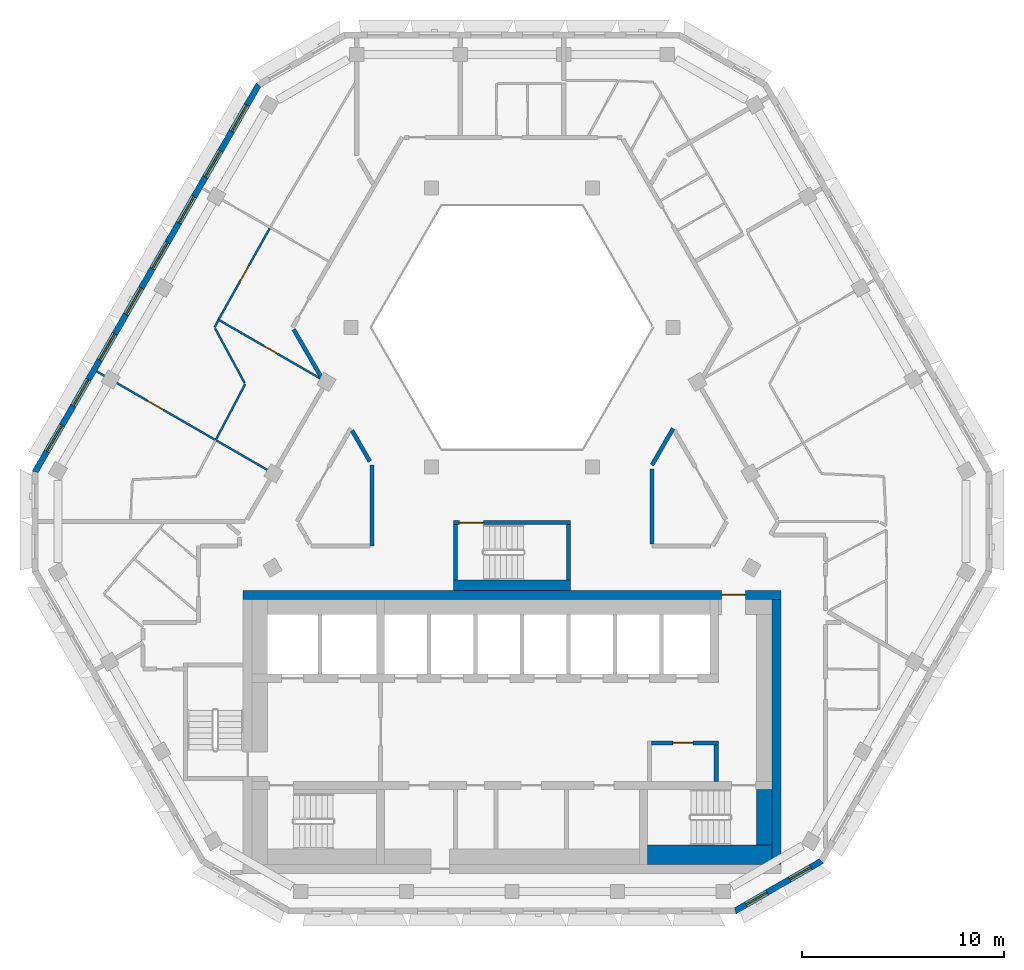
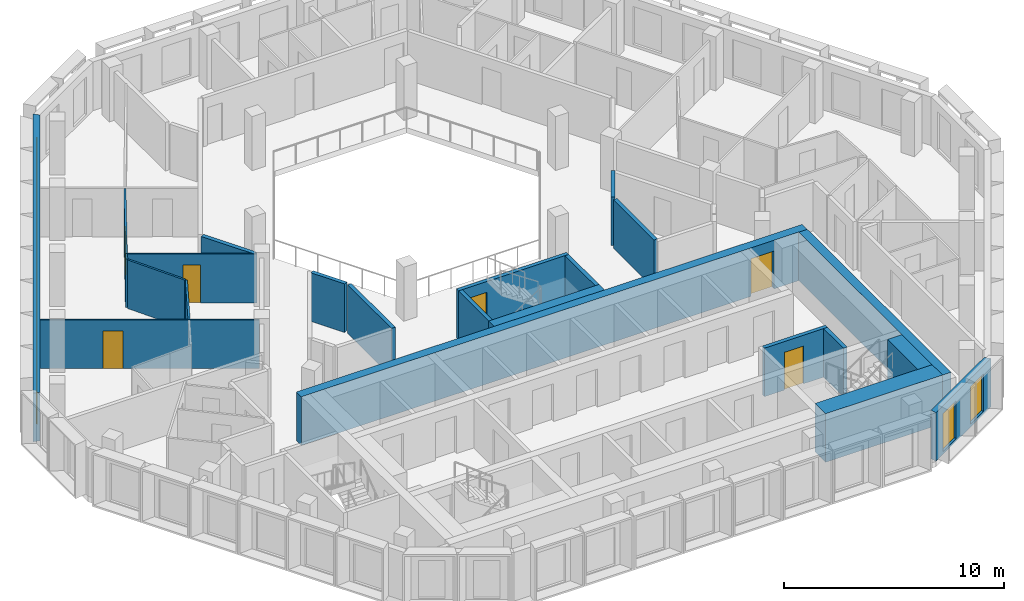
# One storey, part 5 of 16: 23 walls, 10 windows, 6 doors, 16 openings.
"""IFC4 building model written with IfcOpenShell, lengths in metres."""

import ifcopenshell
import ifcopenshell.guid

model = None  # the IFC model being written
_history = None  # IfcOwnerHistory: only IFC2X3 demands one
_inside = {}  # id of a spatial element -> (the spatial element, [elements in it])
_under = {}  # id of a project, library or spatial element -> (it, [spatial elements below it])
_declared = {}  # id of a project -> (the project, [libraries it declares])
_typed = {}  # id of a type object -> (the type object, [elements of that type])
_made_of = {}  # id of a material, layer set ... -> (it, [elements and type objects made of it])


def new_model(schema):
    """Start an empty IFC model of exactly this schema.

    Asked for "IFC4X3", IfcOpenShell would pick the latest addendum, in which some entities
    have other attributes; the version numbers below select the first issue.
    IFC2X3 requires an IfcOwnerHistory on every rooted entity: one is made here for all.
    """
    global model, _history
    if schema == "IFC4X3":
        model = ifcopenshell.file(schema_version=(4, 3, 0, 0))
    else:
        model = ifcopenshell.file(schema=schema)
    _inside.clear()
    _under.clear()
    _declared.clear()
    _typed.clear()
    _made_of.clear()
    _history = None
    if model.schema == "IFC2X3":
        org = make("IfcOrganization", Name="unknown")
        user = make(
            "IfcPersonAndOrganization",
            ThePerson=make("IfcPerson", FamilyName="unknown"),
            TheOrganization=org,
        )
        app = make(
            "IfcApplication",
            ApplicationDeveloper=org,
            Version="unknown",
            ApplicationFullName="unknown",
            ApplicationIdentifier="unknown",
        )
        _history = make(
            "IfcOwnerHistory",
            OwningUser=user,
            OwningApplication=app,
            ChangeAction="ADDED",
            CreationDate=0,
        )
    return model


def make(cls, **values):
    """One entity of the class cls with the attributes given. An attribute that is None is left unset."""
    return model.create_entity(
        cls, **{name: value for name, value in values.items() if value is not None}
    )


def rooted(cls, **values):
    """An entity with a GlobalId (a new one), such as an element, a storey or a relation."""
    return make(cls, GlobalId=ifcopenshell.guid.new(), OwnerHistory=_history, **values)


def si_unit(unit_type, name, prefix=None):
    """IfcSIUnit, for example si_unit("LENGTHUNIT", "METRE", prefix="MILLI")."""
    return make("IfcSIUnit", UnitType=unit_type, Prefix=prefix, Name=name)


def assignment(units):
    """IfcUnitAssignment: the units of a project."""
    return None if units is None else make("IfcUnitAssignment", Units=units)


def point(xyz):
    """IfcCartesianPoint."""
    return None if xyz is None else make("IfcCartesianPoint", Coordinates=xyz)


def direction(xyz):
    """IfcDirection."""
    return None if xyz is None else make("IfcDirection", DirectionRatios=xyz)


def frame(location, z_axis=None, x_axis=None):
    """IfcAxis2Placement3D, a coordinate frame: its origin and axes. An axis left out is left unset."""
    return make(
        "IfcAxis2Placement3D",
        Location=point(location),
        Axis=direction(z_axis),
        RefDirection=direction(x_axis),
    )


def frame_2d(location, x_axis=None):
    """IfcAxis2Placement2D, a coordinate frame in the plane: its origin and x axis."""
    return make(
        "IfcAxis2Placement2D", Location=point(location), RefDirection=direction(x_axis)
    )


def origin():
    """The frame at (0, 0, 0) with its axes left unset."""
    return frame((0.0, 0.0, 0.0))


def place(relative_to, where):
    """IfcLocalPlacement: puts the frame where relative to a parent placement (None: the world)."""
    return make(
        "IfcLocalPlacement", PlacementRelTo=relative_to, RelativePlacement=where
    )


def context(
    kind, dimensions, precision=None, world=None, true_north=None, identifier=None
):
    """IfcGeometricRepresentationContext, for example the 3D "Model" context."""
    return make(
        "IfcGeometricRepresentationContext",
        ContextIdentifier=identifier,
        ContextType=kind,
        CoordinateSpaceDimension=dimensions,
        Precision=precision,
        WorldCoordinateSystem=world,
        TrueNorth=true_north,
    )


def subcontext(parent, identifier, kind, view, scale=None):
    """IfcGeometricRepresentationSubContext, for example "Body" below "Model"."""
    return make(
        "IfcGeometricRepresentationSubContext",
        ContextIdentifier=identifier,
        ContextType=kind,
        ParentContext=parent,
        TargetScale=scale,
        TargetView=view,
    )


def project(units=None, contexts=None):
    """IfcProject with its units and contexts."""
    return rooted(
        "IfcProject",
        Name="project",
        RepresentationContexts=contexts,
        UnitsInContext=assignment(units),
    )


def spatial(cls, under=None, at=None, **own):
    """A site, building, storey or space (cls), placed at a placement, below another one or the project."""
    s = rooted(cls, ObjectPlacement=at, **own)
    if under is not None:
        _under.setdefault(under.id(), (under, []))[1].append(s)
    return s


def polyline(points):
    """IfcPolyline through the points."""
    return make("IfcPolyline", Points=[point(p) for p in points])


def profile(cls, at=None, kind="AREA", **sizes):
    """A parametric profile (cls). Its sizes go by their IFC names, for example OverallWidth=200.0."""
    return make(cls, ProfileType=kind, Position=at, **sizes)


def rectangle(**sizes):
    """IfcRectangleProfileDef."""
    return profile("IfcRectangleProfileDef", **sizes)


def outline(outer, holes=None, kind="AREA"):
    """IfcArbitraryClosedProfileDef: a profile drawn as a closed curve; with holes, ...WithVoids."""
    if holes is None:
        return make("IfcArbitraryClosedProfileDef", ProfileType=kind, OuterCurve=outer)
    return make(
        "IfcArbitraryProfileDefWithVoids",
        ProfileType=kind,
        OuterCurve=outer,
        InnerCurves=holes,
    )


def extrude(swept, where, along, depth):
    """IfcExtrudedAreaSolid: the profile swept, set in the frame where, extruded along a direction by depth."""
    return make(
        "IfcExtrudedAreaSolid",
        SweptArea=swept,
        Position=where,
        ExtrudedDirection=direction(along),
        Depth=depth,
    )


def shape(context_of_items, identifier, shape_type, items):
    """IfcShapeRepresentation: the items that make up one representation, for example the "Body"."""
    return make(
        "IfcShapeRepresentation",
        ContextOfItems=context_of_items,
        RepresentationIdentifier=identifier,
        RepresentationType=shape_type,
        Items=items,
    )


def material(Name=None, Category=None):
    """IfcMaterial."""
    return make("IfcMaterial", Name=Name, Category=Category)


def layer(
    of_material, thickness, ventilated=None, Name=None, Category=None, Priority=None
):
    """IfcMaterialLayer: one layer of a wall or slab, of a material (None: an air gap)."""
    return make(
        "IfcMaterialLayer",
        Material=of_material,
        LayerThickness=thickness,
        IsVentilated=ventilated,
        Name=Name,
        Category=Category,
        Priority=Priority,
    )


def layer_set(layers, Name=None):
    """IfcMaterialLayerSet."""
    return make("IfcMaterialLayerSet", MaterialLayers=layers, LayerSetName=Name)


def made_of(thing, what):
    """Note that an element or type object is made of a material, layer set ...; save() writes the relation."""
    if what is not None:
        _made_of.setdefault(what.id(), (what, []))[1].append(thing)
    return thing


def type_object(cls, material=None, **own):
    """A type object (cls), such as IfcWallType, which elements share."""
    return made_of(rooted(cls, **own), material)


def element(
    cls,
    number,
    at=None,
    inside=None,
    cuts=None,
    type_object=None,
    material=None,
    context=None,
    identifier="Body",
    shape_type=None,
    held_by="IfcProductDefinitionShape",
    body=None,
    shapes=None,
    **own,
):
    """One element of the class cls, such as IfcWall. Its Tag is "e" and its number.

    at: its placement. inside: the storey or other place that contains it. cuts: it is an
    opening in that element (IfcRelVoidsElement). A single representation is given by context,
    identifier, shape_type and body (its items); several are given by shapes. held_by: the class
    of the entity that holds the representations. save() writes the other relations.
    """
    e = rooted(cls, Tag="e%d" % number, ObjectPlacement=at, **own)
    if body is not None:
        shapes = [shape(context, identifier, shape_type, body)]
    if shapes is not None:
        e.Representation = make(held_by, Representations=shapes)
    if inside is not None:
        _inside.setdefault(inside.id(), (inside, []))[1].append(e)
    if cuts is not None:
        rooted(
            "IfcRelVoidsElement", RelatingBuildingElement=cuts, RelatedOpeningElement=e
        )
    if type_object is not None:
        _typed.setdefault(type_object.id(), (type_object, []))[1].append(e)
    return made_of(e, material)


def fill(opening, filler):
    """IfcRelFillsElement: the door or window that sits in an opening."""
    return rooted(
        "IfcRelFillsElement",
        RelatingOpeningElement=opening,
        RelatedBuildingElement=filler,
    )


def aggregate(whole, parts):
    """IfcRelAggregates: a whole, such as a stair, and the parts it consists of."""
    return rooted("IfcRelAggregates", RelatingObject=whole, RelatedObjects=parts)


def save(model, path):
    """Write the relations noted so far, then the file.

    IfcRelAggregates (storeys below a building ...), IfcRelContainedInSpatialStructure (elements
    in a storey), IfcRelDefinesByType, IfcRelAssociatesMaterial and IfcRelDeclares: one each for
    every whole, place, type object, material and project.
    """
    for whole, parts in _under.values():
        aggregate(whole, parts)
    for where, things in _inside.values():
        rooted(
            "IfcRelContainedInSpatialStructure",
            RelatedElements=things,
            RelatingStructure=where,
        )
    for kind, things in _typed.values():
        rooted("IfcRelDefinesByType", RelatedObjects=things, RelatingType=kind)
    for what, things in _made_of.values():
        rooted("IfcRelAssociatesMaterial", RelatedObjects=things, RelatingMaterial=what)
    for by, libraries in _declared.values():
        rooted("IfcRelDeclares", RelatingContext=by, RelatedDefinitions=libraries)
    model.write(path)


model = new_model("IFC4")

# Units and contexts
model_context = context("Model", 3, precision=1e-05, world=origin(), true_north=direction((0.0, 1.0)))
body_context = subcontext(model_context, "Body", "Model", "MODEL_VIEW")
ifc_project = project(units=[si_unit("LENGTHUNIT", "METRE"), si_unit("AREAUNIT", "SQUARE_METRE"), si_unit("VOLUMEUNIT", "CUBIC_METRE"), si_unit("PLANEANGLEUNIT", "RADIAN"), si_unit("MASSUNIT", "GRAM", prefix="KILO")], contexts=[model_context])

# Site, building, storey
site_placement = place(None, origin())
site = spatial("IfcSite", under=ifc_project, at=site_placement, CompositionType="ELEMENT")
building_placement = place(site_placement, origin())
building = spatial("IfcBuilding", under=site, at=building_placement, Name="Beryl Residences", CompositionType="ELEMENT")
storey_placement = place(building_placement, frame((0.0, 0.0, 220.800048828125)))
storey = spatial("IfcBuildingStorey", under=building, at=storey_placement, Name="L68", CompositionType="ELEMENT", Elevation=220.800048828125)

# Wall, openings, windows
ifc_material_1 = material(Name="Composite metal panel with mineral wool insulation")
ifc_layer_1 = layer(ifc_material_1, 0.300048828125)
ifc_layer_set_1 = layer_set([ifc_layer_1], Name="ES1 pale metal composite panel wall 300 mm")
wall_type_1 = type_object("IfcWallType", Name="ES1 pale metal composite panel wall 300 mm", PredefinedType="SOLIDWALL", material=ifc_layer_set_1)
wall_1_placement = place(storey_placement, frame((-12.513916015625, 20.02490234375, 0.0), z_axis=(0.0, 0.0, 1.0), x_axis=(-0.500003656944, -0.866023292436, 0.0)))
wall_1 = element("IfcWall", 1, at=wall_1_placement, inside=storey, type_object=wall_type_1, Name="ES1 external wall L68 NW", PredefinedType="SOLIDWALL", context=body_context, shape_type="SweptSolid", body=[
    extrude(outline(polyline([(0.0, -0.14990234375), (22.170166015625, -0.14990234375), (22.08984375, 0.14990234375), (0.080322265625, 0.14990234375), (0.0, -0.14990234375)])), origin(), (0.0, 0.0, 1.0), 2.699951171875),
])
opening_1_placement = place(wall_1_placement, frame((1.19091796875, 0.0, 0.14990234375)))
opening_1 = element("IfcOpeningElement", 2, at=opening_1_placement, cuts=wall_1, Name="Opening W1", PredefinedType="OPENING", context=body_context, shape_type="SweptSolid", body=[
    extrude(rectangle(XDim=1.5, YDim=2.10009765625, at=frame_2d((0.75, 1.050048828125))), frame((0.0, 0.159912109375, 0.0), z_axis=(0.0, -1.0, 0.0), x_axis=(1.0, 0.0, 0.0)), (0.0, 0.0, 1.0), 0.320068359375),
])
opening_2_placement = place(wall_1_placement, frame((3.803955078125, 0.0, 0.14990234375)))
opening_2 = element("IfcOpeningElement", 3, at=opening_2_placement, cuts=wall_1, Name="Opening W1", PredefinedType="OPENING", context=body_context, shape_type="SweptSolid", body=[
    extrude(rectangle(XDim=1.5, YDim=2.10009765625, at=frame_2d((0.75, 1.050048828125))), frame((0.0, 0.159912109375, 0.0), z_axis=(0.0, -1.0, 0.0), x_axis=(1.0, 0.0, 0.0)), (0.0, 0.0, 1.0), 0.320068359375),
])
opening_3_placement = place(wall_1_placement, frame((6.416015625, 0.0, 0.14990234375)))
opening_3 = element("IfcOpeningElement", 4, at=opening_3_placement, cuts=wall_1, Name="Opening W1", PredefinedType="OPENING", context=body_context, shape_type="SweptSolid", body=[
    extrude(rectangle(XDim=1.5, YDim=2.10009765625, at=frame_2d((0.75, 1.050048828125))), frame((0.0, 0.159912109375, 0.0), z_axis=(0.0, -1.0, 0.0), x_axis=(1.0, 0.0, 0.0)), (0.0, 0.0, 1.0), 0.320068359375),
])
opening_4_placement = place(wall_1_placement, frame((9.029052734375, 0.0, 0.14990234375)))
opening_4 = element("IfcOpeningElement", 5, at=opening_4_placement, cuts=wall_1, Name="Opening W1", PredefinedType="OPENING", context=body_context, shape_type="SweptSolid", body=[
    extrude(rectangle(XDim=1.5, YDim=2.10009765625, at=frame_2d((0.75, 1.050048828125))), frame((0.0, 0.159912109375, 0.0), z_axis=(0.0, -1.0, 0.0), x_axis=(1.0, 0.0, 0.0)), (0.0, 0.0, 1.0), 0.320068359375),
])
opening_5_placement = place(wall_1_placement, frame((11.64111328125, 0.0, 0.14990234375)))
opening_5 = element("IfcOpeningElement", 6, at=opening_5_placement, cuts=wall_1, Name="Opening W1", PredefinedType="OPENING", context=body_context, shape_type="SweptSolid", body=[
    extrude(rectangle(XDim=1.5, YDim=2.10009765625, at=frame_2d((0.75, 1.050048828125))), frame((0.0, 0.159912109375, 0.0), z_axis=(0.0, -1.0, 0.0), x_axis=(1.0, 0.0, 0.0)), (0.0, 0.0, 1.0), 0.320068359375),
])
opening_6_placement = place(wall_1_placement, frame((14.25390625, 0.0, 0.14990234375)))
opening_6 = element("IfcOpeningElement", 7, at=opening_6_placement, cuts=wall_1, Name="Opening W1", PredefinedType="OPENING", context=body_context, shape_type="SweptSolid", body=[
    extrude(rectangle(XDim=1.5, YDim=2.10009765625, at=frame_2d((0.75, 1.050048828125))), frame((0.0, 0.159912109375, 0.0), z_axis=(0.0, -1.0, 0.0), x_axis=(1.0, 0.0, 0.0)), (0.0, 0.0, 1.0), 0.320068359375),
])
opening_7_placement = place(wall_1_placement, frame((16.865966796875, 0.0, 0.14990234375)))
opening_7 = element("IfcOpeningElement", 8, at=opening_7_placement, cuts=wall_1, Name="Opening W1", PredefinedType="OPENING", context=body_context, shape_type="SweptSolid", body=[
    extrude(rectangle(XDim=1.5, YDim=2.10009765625, at=frame_2d((0.75, 1.050048828125))), frame((0.0, 0.159912109375, 0.0), z_axis=(0.0, -1.0, 0.0), x_axis=(1.0, 0.0, 0.0)), (0.0, 0.0, 1.0), 0.320068359375),
])
opening_8_placement = place(wall_1_placement, frame((19.47900390625, 0.0, 0.14990234375)))
opening_8 = element("IfcOpeningElement", 9, at=opening_8_placement, cuts=wall_1, Name="Opening W1", PredefinedType="OPENING", context=body_context, shape_type="SweptSolid", body=[
    extrude(rectangle(XDim=1.5, YDim=2.10009765625, at=frame_2d((0.75, 1.050048828125))), frame((0.0, 0.159912109375, 0.0), z_axis=(0.0, -1.0, 0.0), x_axis=(1.0, 0.0, 0.0)), (0.0, 0.0, 1.0), 0.320068359375),
])
ifc_material_2 = material(Name="Aluminium and clear glass", Category="aluminium")
window_type_1 = type_object("IfcWindowType", Name="W1 cell window 1500 x 2100 mm", PartitioningType="SINGLE_PANEL", PredefinedType="WINDOW", material=ifc_material_2)
window_1_placement = place(opening_1_placement, origin())
window_1 = element("IfcWindow", 10, at=window_1_placement, inside=storey, type_object=window_type_1, Name="W1 window L68 NW 1", OverallHeight=2.10009765625, OverallWidth=1.5, PartitioningType="SINGLE_PANEL", PredefinedType="WINDOW", context=body_context, shape_type="SweptSolid", body=[
    extrude(rectangle(XDim=1.5, YDim=2.10009765625, at=frame_2d((0.75, 1.050048828125))), frame((0.0, 0.030029296875, 0.0), z_axis=(0.0, -1.0, 0.0), x_axis=(1.0, 0.0, 0.0)), (0.0, 0.0, 1.0), 0.06005859375),
])
fill(opening_1, window_1)
window_2_placement = place(opening_2_placement, origin())
window_2 = element("IfcWindow", 11, at=window_2_placement, inside=storey, type_object=window_type_1, Name="W1 window L68 NW 2", OverallHeight=2.10009765625, OverallWidth=1.5, PartitioningType="SINGLE_PANEL", PredefinedType="WINDOW", context=body_context, shape_type="SweptSolid", body=[
    extrude(rectangle(XDim=1.5, YDim=2.10009765625, at=frame_2d((0.75, 1.050048828125))), frame((0.0, 0.030029296875, 0.0), z_axis=(0.0, -1.0, 0.0), x_axis=(1.0, 0.0, 0.0)), (0.0, 0.0, 1.0), 0.06005859375),
])
fill(opening_2, window_2)
window_3_placement = place(opening_3_placement, origin())
window_3 = element("IfcWindow", 12, at=window_3_placement, inside=storey, type_object=window_type_1, Name="W1 window L68 NW 3", OverallHeight=2.10009765625, OverallWidth=1.5, PartitioningType="SINGLE_PANEL", PredefinedType="WINDOW", context=body_context, shape_type="SweptSolid", body=[
    extrude(rectangle(XDim=1.5, YDim=2.10009765625, at=frame_2d((0.75, 1.050048828125))), frame((0.0, 0.030029296875, 0.0), z_axis=(0.0, -1.0, 0.0), x_axis=(1.0, 0.0, 0.0)), (0.0, 0.0, 1.0), 0.06005859375),
])
fill(opening_3, window_3)
window_4_placement = place(opening_4_placement, origin())
window_4 = element("IfcWindow", 13, at=window_4_placement, inside=storey, type_object=window_type_1, Name="W1 window L68 NW 4", OverallHeight=2.10009765625, OverallWidth=1.5, PartitioningType="SINGLE_PANEL", PredefinedType="WINDOW", context=body_context, shape_type="SweptSolid", body=[
    extrude(rectangle(XDim=1.5, YDim=2.10009765625, at=frame_2d((0.75, 1.050048828125))), frame((0.0, 0.030029296875, 0.0), z_axis=(0.0, -1.0, 0.0), x_axis=(1.0, 0.0, 0.0)), (0.0, 0.0, 1.0), 0.06005859375),
])
fill(opening_4, window_4)
window_5_placement = place(opening_5_placement, origin())
window_5 = element("IfcWindow", 14, at=window_5_placement, inside=storey, type_object=window_type_1, Name="W1 window L68 NW 5", OverallHeight=2.10009765625, OverallWidth=1.5, PartitioningType="SINGLE_PANEL", PredefinedType="WINDOW", context=body_context, shape_type="SweptSolid", body=[
    extrude(rectangle(XDim=1.5, YDim=2.10009765625, at=frame_2d((0.75, 1.050048828125))), frame((0.0, 0.030029296875, 0.0), z_axis=(0.0, -1.0, 0.0), x_axis=(1.0, 0.0, 0.0)), (0.0, 0.0, 1.0), 0.06005859375),
])
fill(opening_5, window_5)
window_6_placement = place(opening_6_placement, origin())
window_6 = element("IfcWindow", 15, at=window_6_placement, inside=storey, type_object=window_type_1, Name="W1 window L68 NW 6", OverallHeight=2.10009765625, OverallWidth=1.5, PartitioningType="SINGLE_PANEL", PredefinedType="WINDOW", context=body_context, shape_type="SweptSolid", body=[
    extrude(rectangle(XDim=1.5, YDim=2.10009765625, at=frame_2d((0.75, 1.050048828125))), frame((0.0, 0.030029296875, 0.0), z_axis=(0.0, -1.0, 0.0), x_axis=(1.0, 0.0, 0.0)), (0.0, 0.0, 1.0), 0.06005859375),
])
fill(opening_6, window_6)
window_7_placement = place(opening_7_placement, origin())
window_7 = element("IfcWindow", 16, at=window_7_placement, inside=storey, type_object=window_type_1, Name="W1 window L68 NW 7", OverallHeight=2.10009765625, OverallWidth=1.5, PartitioningType="SINGLE_PANEL", PredefinedType="WINDOW", context=body_context, shape_type="SweptSolid", body=[
    extrude(rectangle(XDim=1.5, YDim=2.10009765625, at=frame_2d((0.75, 1.050048828125))), frame((0.0, 0.030029296875, 0.0), z_axis=(0.0, -1.0, 0.0), x_axis=(1.0, 0.0, 0.0)), (0.0, 0.0, 1.0), 0.06005859375),
])
fill(opening_7, window_7)
window_8_placement = place(opening_8_placement, origin())
window_8 = element("IfcWindow", 17, at=window_8_placement, inside=storey, type_object=window_type_1, Name="W1 window L68 NW 8", OverallHeight=2.10009765625, OverallWidth=1.5, PartitioningType="SINGLE_PANEL", PredefinedType="WINDOW", context=body_context, shape_type="SweptSolid", body=[
    extrude(rectangle(XDim=1.5, YDim=2.10009765625, at=frame_2d((0.75, 1.050048828125))), frame((0.0, 0.030029296875, 0.0), z_axis=(0.0, -1.0, 0.0), x_axis=(1.0, 0.0, 0.0)), (0.0, 0.0, 1.0), 0.06005859375),
])
fill(opening_8, window_8)

wall_2_placement = place(storey_placement, frame((11.010009765625, -20.8701171875, 0.0), z_axis=(0.0, 0.0, 1.0), x_axis=(0.866022959057, 0.500004234368, 0.0)))
wall_2 = element("IfcWall", 18, at=wall_2_placement, inside=storey, type_object=wall_type_1, Name="ES1 external wall L68 S-SE", PredefinedType="SOLIDWALL", context=body_context, shape_type="SweptSolid", body=[
    extrude(outline(polyline([(0.0, -0.14990234375), (5.0, -0.14990234375), (4.919677734375, 0.14990234375), (0.080322265625, 0.14990234375), (0.0, -0.14990234375)])), origin(), (0.0, 0.0, 1.0), 2.699951171875),
])
opening_9_placement = place(wall_2_placement, frame((0.64990234375, 0.0, 0.14990234375)))
opening_9 = element("IfcOpeningElement", 19, at=opening_9_placement, cuts=wall_2, Name="Opening W2", PredefinedType="OPENING", context=body_context, shape_type="SweptSolid", body=[
    extrude(rectangle(XDim=1.199951171875, YDim=2.10009765625, at=frame_2d((0.60009765625, 1.050048828125))), frame((0.0, 0.159912109375, 0.0), z_axis=(0.0, -1.0, 0.0), x_axis=(1.0, 0.0, 0.0)), (0.0, 0.0, 1.0), 0.320068359375),
])
opening_10_placement = place(wall_2_placement, frame((3.14892578125, 0.0, 0.14990234375)))
opening_10 = element("IfcOpeningElement", 20, at=opening_10_placement, cuts=wall_2, Name="Opening W2", PredefinedType="OPENING", context=body_context, shape_type="SweptSolid", body=[
    extrude(rectangle(XDim=1.199951171875, YDim=2.10009765625, at=frame_2d((0.60009765625, 1.050048828125))), frame((0.0, 0.159912109375, 0.0), z_axis=(0.0, -1.0, 0.0), x_axis=(1.0, 0.0, 0.0)), (0.0, 0.0, 1.0), 0.320068359375),
])
ifc_material_3 = material(Name="Aluminium and clear glass", Category="aluminium")
window_type_2 = type_object("IfcWindowType", Name="W2 chamfer window 1200 x 2100 mm", PartitioningType="SINGLE_PANEL", PredefinedType="WINDOW", material=ifc_material_3)
window_9_placement = place(opening_9_placement, origin())
window_9 = element("IfcWindow", 21, at=window_9_placement, inside=storey, type_object=window_type_2, Name="W2 window L68 S-SE 1", OverallHeight=2.10009765625, OverallWidth=1.199951171875, PartitioningType="SINGLE_PANEL", PredefinedType="WINDOW", context=body_context, shape_type="SweptSolid", body=[
    extrude(rectangle(XDim=1.199951171875, YDim=2.10009765625, at=frame_2d((0.60009765625, 1.050048828125))), frame((0.0, 0.030029296875, 0.0), z_axis=(0.0, -1.0, 0.0), x_axis=(1.0, 0.0, 0.0)), (0.0, 0.0, 1.0), 0.06005859375),
])
fill(opening_9, window_9)
window_10_placement = place(opening_10_placement, origin())
window_10 = element("IfcWindow", 22, at=window_10_placement, inside=storey, type_object=window_type_2, Name="W2 window L68 S-SE 2", OverallHeight=2.10009765625, OverallWidth=1.199951171875, PartitioningType="SINGLE_PANEL", PredefinedType="WINDOW", context=body_context, shape_type="SweptSolid", body=[
    extrude(rectangle(XDim=1.199951171875, YDim=2.10009765625, at=frame_2d((0.60009765625, 1.050048828125))), frame((0.0, 0.030029296875, 0.0), z_axis=(0.0, -1.0, 0.0), x_axis=(1.0, 0.0, 0.0)), (0.0, 0.0, 1.0), 0.06005859375),
])
fill(opening_10, window_10)

# Wall
ifc_material_4 = material(Name="Gypsum board partition on steel studs", Category="steel")
ifc_layer_2 = layer(ifc_material_4, 0.10009765625)
ifc_layer_set_2 = layer_set([ifc_layer_2], Name="PT1 partition 100 mm gypsum board on steel studs")
wall_type_2 = type_object("IfcWallType", Name="PT1 partition 100 mm gypsum board on steel studs", PredefinedType="PARTITIONING", material=ifc_layer_set_2)
wall_3_placement = place(storey_placement, frame((-14.679931640625, 7.947021484375, 0.0), z_axis=(0.0, 0.0, 1.0), x_axis=(0.475823637798, -0.879540712936, 0.0)))
element("IfcWall", 23, at=wall_3_placement, inside=storey, type_object=wall_type_2, Name="Wall PT1 L68 008", PredefinedType="PARTITIONING", context=body_context, shape_type="SweptSolid", body=[
    extrude(rectangle(XDim=3.064208984375, YDim=0.10009765625, at=frame_2d((1.5322265625, 0.0))), origin(), (0.0, 0.0, 1.0), 2.699951171875),
])

# Wall, opening, door
wall_4_placement = place(storey_placement, frame((-20.5390625, 5.824951171875, 0.0), z_axis=(0.0, 0.0, 1.0), x_axis=(0.866047370643, -0.499961950354, 0.0)))
wall_4 = element("IfcWall", 24, at=wall_4_placement, inside=storey, type_object=wall_type_2, Name="Wall PT1 L68 013", PredefinedType="PARTITIONING", context=body_context, shape_type="SweptSolid", body=[
    extrude(rectangle(XDim=10.000732421875, YDim=0.10009765625, at=frame_2d((5.00048828125, 0.0))), origin(), (0.0, 0.0, 1.0), 2.699951171875),
])
opening_11_placement = place(wall_4_placement, frame((2.886962890625, 0.0, 0.0)))
opening_11 = element("IfcOpeningElement", 25, at=opening_11_placement, cuts=wall_4, Name="Opening D1929", PredefinedType="OPENING", context=body_context, shape_type="SweptSolid", body=[
    extrude(rectangle(XDim=0.89990234375, YDim=2.10009765625, at=frame_2d((0.449951171875, 1.050048828125))), frame((0.0, 0.06005859375, 0.0), z_axis=(0.0, -1.0, 0.0), x_axis=(1.0, 0.0, 0.0)), (0.0, 0.0, 1.0), 0.1201171875),
])
ifc_material_5 = material(Name="Timber door leaf", Category="wood")
door_type_1 = type_object("IfcDoorType", Name="D2 room door 900 x 2100 mm", OperationType="SINGLE_SWING_LEFT", PredefinedType="DOOR", material=ifc_material_5)
door_1_placement = place(opening_11_placement, origin())
door_1 = element("IfcDoor", 26, at=door_1_placement, inside=storey, type_object=door_type_1, Name="Door D1929 L68 001", OperationType="SINGLE_SWING_LEFT", OverallHeight=2.10009765625, OverallWidth=0.89990234375, PredefinedType="DOOR", context=body_context, shape_type="SweptSolid", body=[
    extrude(rectangle(XDim=0.89990234375, YDim=2.10009765625, at=frame_2d((0.449951171875, 1.050048828125))), frame((0.0, 0.02490234375, 0.0), z_axis=(0.0, -1.0, 0.0), x_axis=(1.0, 0.0, 0.0)), (0.0, 0.0, 1.0), 0.050048828125),
])
fill(opening_11, door_1)

wall_5_placement = place(storey_placement, frame((-14.469970703125, 8.35400390625, 0.0), z_axis=(0.0, 0.0, 1.0), x_axis=(0.866067902578, -0.499926382705, 0.0)))
wall_5 = element("IfcWall", 27, at=wall_5_placement, inside=storey, type_object=wall_type_2, Name="Wall PT1 L68 014", PredefinedType="PARTITIONING", context=body_context, shape_type="SweptSolid", body=[
    extrude(rectangle(XDim=5.9072265625, YDim=0.10009765625, at=frame_2d((2.95361328125, 0.0))), origin(), (0.0, 0.0, 1.0), 2.699951171875),
])
opening_12_placement = place(wall_5_placement, frame((2.529052734375, 0.0, 0.0)))
opening_12 = element("IfcOpeningElement", 28, at=opening_12_placement, cuts=wall_5, Name="Opening D1926", PredefinedType="OPENING", context=body_context, shape_type="SweptSolid", body=[
    extrude(rectangle(XDim=0.800048828125, YDim=2.10009765625, at=frame_2d((0.39990234375, 1.050048828125))), frame((0.0, 0.06005859375, 0.0), z_axis=(0.0, -1.0, 0.0), x_axis=(1.0, 0.0, 0.0)), (0.0, 0.0, 1.0), 0.1201171875),
])
ifc_material_6 = material(Name="Timber door leaf", Category="wood")
door_type_2 = type_object("IfcDoorType", Name="D3 bathroom door 800 x 2100 mm", OperationType="SINGLE_SWING_LEFT", PredefinedType="DOOR", material=ifc_material_6)
door_2_placement = place(opening_12_placement, origin())
door_2 = element("IfcDoor", 29, at=door_2_placement, inside=storey, type_object=door_type_2, Name="Door D1926 L68 001", OperationType="SINGLE_SWING_RIGHT", OverallHeight=2.10009765625, OverallWidth=0.800048828125, PredefinedType="DOOR", context=body_context, shape_type="SweptSolid", body=[
    extrude(rectangle(XDim=0.800048828125, YDim=2.10009765625, at=frame_2d((0.39990234375, 1.050048828125))), frame((0.0, 0.02490234375, 0.0), z_axis=(0.0, -1.0, 0.0), x_axis=(1.0, 0.0, 0.0)), (0.0, 0.0, 1.0), 0.050048828125),
])
fill(opening_12, door_2)

wall_6_placement = place(storey_placement, frame((-14.52197265625, 8.362060546875, 0.0), z_axis=(0.0, 0.0, 1.0), x_axis=(0.488772229601, 0.872411432508, 0.0)))
wall_6 = element("IfcWall", 30, at=wall_6_placement, inside=storey, type_object=wall_type_2, Name="Wall PT1 L68 026", PredefinedType="PARTITIONING", context=body_context, shape_type="SweptSolid", body=[
    extrude(rectangle(XDim=5.19482421875, YDim=0.10009765625, at=frame_2d((2.597412109375, 0.0))), origin(), (0.0, 0.0, 1.0), 2.699951171875),
])
opening_13_placement = place(wall_6_placement, frame((2.173095703125, 0.0, 0.0)))
opening_13 = element("IfcOpeningElement", 31, at=opening_13_placement, cuts=wall_6, Name="Opening D1927", PredefinedType="OPENING", context=body_context, shape_type="SweptSolid", body=[
    extrude(rectangle(XDim=0.89990234375, YDim=2.10009765625, at=frame_2d((0.449951171875, 1.050048828125))), frame((0.0, 0.06005859375, 0.0), z_axis=(0.0, -1.0, 0.0), x_axis=(1.0, 0.0, 0.0)), (0.0, 0.0, 1.0), 0.1201171875),
])
door_3_placement = place(opening_13_placement, origin())
door_3 = element("IfcDoor", 32, at=door_3_placement, inside=storey, type_object=door_type_1, Name="Door D1927 L68 001", OperationType="SINGLE_SWING_LEFT", OverallHeight=2.10009765625, OverallWidth=0.89990234375, PredefinedType="DOOR", context=body_context, shape_type="SweptSolid", body=[
    extrude(rectangle(XDim=0.89990234375, YDim=2.10009765625, at=frame_2d((0.449951171875, 1.050048828125))), frame((0.0, 0.02490234375, 0.0), z_axis=(0.0, -1.0, 0.0), x_axis=(1.0, 0.0, 0.0)), (0.0, 0.0, 1.0), 0.050048828125),
])
fill(opening_13, door_3)

# Walls
wall_7_placement = place(storey_placement, frame((-14.708984375, 8.0, 0.0), z_axis=(0.0, 0.0, 1.0), x_axis=(0.458976923864, 0.888448188337, 0.0)))
element("IfcWall", 33, at=wall_7_placement, inside=storey, type_object=wall_type_2, Name="Wall PT1 L68 030", PredefinedType="PARTITIONING", context=body_context, shape_type="SweptSolid", body=[
    extrude(rectangle(XDim=0.44677734375, YDim=0.10009765625, at=frame_2d((0.223388671875, 0.0))), origin(), (0.0, 0.0, 1.0), 2.699951171875),
])
wall_8_placement = place(storey_placement, frame((-14.652099609375, 2.426025390625, 0.0), z_axis=(0.0, 0.0, 1.0), x_axis=(0.465502421984, 0.885046606189, 0.0)))
element("IfcWall", 34, at=wall_8_placement, inside=storey, type_object=wall_type_2, Name="Wall PT1 L68 045", PredefinedType="PARTITIONING", context=body_context, shape_type="SweptSolid", body=[
    extrude(rectangle(XDim=3.13427734375, YDim=0.10009765625, at=frame_2d((1.567138671875, 0.0))), origin(), (0.0, 0.0, 1.0), 2.699951171875),
])

# Wall, opening, door
ifc_material_7 = material(Name="Concrete masonry", Category="masonry")
ifc_layer_3 = layer(ifc_material_7, 0.199951171875)
ifc_layer_set_3 = layer_set([ifc_layer_3], Name="PT13 lobby wall 200 mm")
wall_type_3 = type_object("IfcWallType", Name="PT13 lobby wall 200 mm", PredefinedType="PARTITIONING", material=ifc_layer_set_3)
wall_9_placement = place(storey_placement, frame((6.89990234375, -12.550048828125, 0.0), z_axis=(0.0, 0.0, 1.0), x_axis=(1.0, 0.0, 0.0)))
wall_9 = element("IfcWall", 35, at=wall_9_placement, inside=storey, type_object=wall_type_3, Name="Lobby wall 26", PredefinedType="PARTITIONING", context=body_context, shape_type="SweptSolid", body=[
    extrude(rectangle(XDim=3.300048828125, YDim=0.199951171875, at=frame_2d((1.64990234375, 0.0))), origin(), (0.0, 0.0, 1.0), 2.699951171875),
])
opening_14_placement = place(wall_9_placement, frame((2.050048828125, 0.0, 0.0), z_axis=(0.0, 0.0, 1.0), x_axis=(-1.0, 0.0, 0.0)))
opening_14 = element("IfcOpeningElement", 36, at=opening_14_placement, cuts=wall_9, Name="Opening CD-D-A1", PredefinedType="OPENING", context=body_context, shape_type="SweptSolid", body=[
    extrude(rectangle(XDim=1.0, YDim=2.10009765625, at=frame_2d((0.5, 1.050048828125))), frame((0.0, 0.10986328125, 0.0), z_axis=(0.0, -1.0, 0.0), x_axis=(1.0, 0.0, 0.0)), (0.0, 0.0, 1.0), 0.219970703125),
])
ifc_material_8 = material(Name="Steel door leaf in steel frame", Category="steel")
door_type_3 = type_object("IfcDoorType", Name="D18 service room door 1000 x 2100 mm", OperationType="SINGLE_SWING_LEFT", PredefinedType="DOOR", material=ifc_material_8)
door_4_placement = place(opening_14_placement, origin())
door_4 = element("IfcDoor", 37, at=door_4_placement, inside=storey, type_object=door_type_3, Name="Door CD-D-A1 L68 001", OperationType="SINGLE_SWING_RIGHT", OverallHeight=2.10009765625, OverallWidth=1.0, PredefinedType="DOOR", context=body_context, shape_type="SweptSolid", body=[
    extrude(rectangle(XDim=1.0, YDim=2.10009765625, at=frame_2d((0.5, 1.050048828125))), frame((0.0, 0.02490234375, 0.0), z_axis=(0.0, -1.0, 0.0), x_axis=(1.0, 0.0, 0.0)), (0.0, 0.0, 1.0), 0.050048828125),
])
fill(opening_14, door_4)

# Walls
wall_10_placement = place(storey_placement, frame((10.10009765625, -14.449951171875, 0.0), z_axis=(0.0, 0.0, 1.0), x_axis=(0.0, 1.0, 0.0)))
element("IfcWall", 38, at=wall_10_placement, inside=storey, type_object=wall_type_3, Name="Lobby wall 28", PredefinedType="PARTITIONING", context=body_context, shape_type="SweptSolid", body=[
    extrude(rectangle(XDim=1.800048828125, YDim=0.199951171875, at=frame_2d((0.89990234375, 0.0))), origin(), (0.0, 0.0, 1.0), 2.699951171875),
])
ifc_material_9 = material(Name="Double stud gypsum board wall")
ifc_layer_4 = layer(ifc_material_9, 0.199951171875)
ifc_layer_set_4 = layer_set([ifc_layer_4], Name="PT4 corridor wall 200 mm double stud")
wall_type_4 = type_object("IfcWallType", Name="PT4 corridor wall 200 mm double stud", PredefinedType="PARTITIONING", material=ifc_layer_set_4)
wall_11_placement = place(storey_placement, frame((-10.7958984375, 7.89990234375, 0.0), z_axis=(0.0, 0.0, 1.0), x_axis=(0.499674397761, -0.866213308731, 0.0)))
element("IfcWall", 39, at=wall_11_placement, inside=storey, type_object=wall_type_4, Name="Wall PT4 L68 001", PredefinedType="PARTITIONING", context=body_context, shape_type="SweptSolid", body=[
    extrude(rectangle(XDim=2.785400390625, YDim=0.199951171875, at=frame_2d((1.392578125, 0.0))), origin(), (0.0, 0.0, 1.0), 2.699951171875),
])
wall_12_placement = place(storey_placement, frame((-7.908935546875, 2.89794921875, 0.0), z_axis=(0.0, 0.0, 1.0), x_axis=(0.50019444547, -0.865913111531, 0.0)))
element("IfcWall", 40, at=wall_12_placement, inside=storey, type_object=wall_type_4, Name="Wall PT4 L68 002", PredefinedType="PARTITIONING", context=body_context, shape_type="SweptSolid", body=[
    extrude(rectangle(XDim=1.760986328125, YDim=0.199951171875, at=frame_2d((0.88037109375, 0.0))), origin(), (0.0, 0.0, 1.0), 2.699951171875),
])
wall_13_placement = place(storey_placement, frame((6.927978515625, 1.0, 0.0), z_axis=(0.0, 0.0, 1.0), x_axis=(0.0, -1.0, 0.0)))
element("IfcWall", 41, at=wall_13_placement, inside=storey, type_object=wall_type_4, Name="Wall PT4 L68 009", PredefinedType="PARTITIONING", context=body_context, shape_type="SweptSolid", body=[
    extrude(rectangle(XDim=3.698974609375, YDim=0.199951171875, at=frame_2d((1.849609375, 0.0))), origin(), (0.0, 0.0, 1.0), 2.699951171875),
])
wall_14_placement = place(storey_placement, frame((6.927978515625, 1.199951171875, 0.0), z_axis=(0.0, 0.0, 1.0), x_axis=(0.500132712588, 0.865948768577, 0.0)))
element("IfcWall", 42, at=wall_14_placement, inside=storey, type_object=wall_type_4, Name="Wall PT4 L68 018", PredefinedType="PARTITIONING", context=body_context, shape_type="SweptSolid", body=[
    extrude(rectangle(XDim=2.07763671875, YDim=0.199951171875, at=frame_2d((1.038818359375, 0.0))), origin(), (0.0, 0.0, 1.0), 2.699951171875),
])
wall_15_placement = place(storey_placement, frame((-6.927978515625, -2.799072265625, 0.0), z_axis=(0.0, 0.0, 1.0), x_axis=(0.0, 1.0, 0.0)))
element("IfcWall", 43, at=wall_15_placement, inside=storey, type_object=wall_type_4, Name="Wall PT4 L68 028", PredefinedType="PARTITIONING", context=body_context, shape_type="SweptSolid", body=[
    extrude(rectangle(XDim=3.9990234375, YDim=0.199951171875, at=frame_2d((1.99951171875, 0.0))), origin(), (0.0, 0.0, 1.0), 2.699951171875),
])

# Wall, opening, door
ifc_material_10 = material(Name="Concrete C40/50", Category="concrete")
ifc_layer_5 = layer(ifc_material_10, 0.199951171875)
ifc_layer_set_5 = layer_set([ifc_layer_5], Name="PT5 stair enclosure wall 200 mm reinforced concrete C40/50")
wall_type_5 = type_object("IfcWallType", Name="PT5 stair enclosure wall 200 mm reinforced concrete C40/50", PredefinedType="SOLIDWALL", material=ifc_layer_set_5)
wall_16_placement = place(storey_placement, frame((-2.89990234375, -1.64990234375, 0.0), z_axis=(0.0, 0.0, 1.0), x_axis=(1.0, 0.0, 0.0)))
wall_16 = element("IfcWall", 44, at=wall_16_placement, inside=storey, type_object=wall_type_5, Name="Wall PT5 L68 001", PredefinedType="SOLIDWALL", context=body_context, shape_type="SweptSolid", body=[
    extrude(rectangle(XDim=5.7998046875, YDim=0.199951171875, at=frame_2d((2.89990234375, 0.0))), origin(), (0.0, 0.0, 1.0), 2.699951171875),
])
opening_15_placement = place(wall_16_placement, frame((0.300048828125, 0.0, 0.0)))
opening_15 = element("IfcOpeningElement", 45, at=opening_15_placement, cuts=wall_16, Name="Opening DS04", PredefinedType="OPENING", context=body_context, shape_type="SweptSolid", body=[
    extrude(rectangle(XDim=1.199951171875, YDim=2.10009765625, at=frame_2d((0.60009765625, 1.050048828125))), frame((0.0, 0.10986328125, 0.0), z_axis=(0.0, -1.0, 0.0), x_axis=(1.0, 0.0, 0.0)), (0.0, 0.0, 1.0), 0.219970703125),
])
ifc_material_11 = material(Name="Steel door leaf in steel frame", Category="steel")
door_type_4 = type_object("IfcDoorType", Name="D4 stair door 1200 x 2100 mm", OperationType="SINGLE_SWING_LEFT", PredefinedType="DOOR", material=ifc_material_11)
door_5_placement = place(opening_15_placement, origin())
door_5 = element("IfcDoor", 46, at=door_5_placement, inside=storey, type_object=door_type_4, Name="Door DS04 L68 001", OperationType="SINGLE_SWING_LEFT", OverallHeight=2.10009765625, OverallWidth=1.199951171875, PredefinedType="DOOR", context=body_context, shape_type="SweptSolid", body=[
    extrude(rectangle(XDim=1.199951171875, YDim=2.10009765625, at=frame_2d((0.60009765625, 1.050048828125))), frame((0.0, 0.02490234375, 0.0), z_axis=(0.0, -1.0, 0.0), x_axis=(1.0, 0.0, 0.0)), (0.0, 0.0, 1.0), 0.050048828125),
])
fill(opening_15, door_5)

# Walls
for number, where, z_axis, x_axis, name in (
    (47, (-2.800048828125, -4.5, 0.0), (0.0, 0.0, 1.0), (0.0, 1.0, 0.0), "Wall PT5 L68 002"),
    (48, (2.800048828125, -4.5, 0.0), (0.0, 0.0, 1.0), (0.0, 1.0, 0.0), "Wall PT5 L68 003"),
):
    element("IfcWall", number, at=place(storey_placement, frame(where, z_axis=z_axis, x_axis=x_axis)), inside=storey, type_object=wall_type_5, Name=name, PredefinedType="SOLIDWALL", context=body_context, shape_type="SweptSolid", body=[
        extrude(rectangle(XDim=2.75, YDim=0.199951171875, at=frame_2d((1.375, 0.0))), origin(), (0.0, 0.0, 1.0), 2.699951171875),
    ])
ifc_material_12 = material(Name="Concrete C40/50", Category="concrete")
ifc_layer_6 = layer(ifc_material_12, 0.5)
ifc_layer_set_6 = layer_set([ifc_layer_6], Name="PT5-500 stair enclosure wall 500 mm")
wall_type_6 = type_object("IfcWallType", Name="PT5-500 stair enclosure wall 500 mm", PredefinedType="SOLIDWALL", material=ifc_layer_set_6)
wall_17_placement = place(storey_placement, frame((-2.89990234375, -4.75, 0.0), z_axis=(0.0, 0.0, 1.0), x_axis=(1.0, 0.0, 0.0)))
element("IfcWall", 49, at=wall_17_placement, inside=storey, type_object=wall_type_6, Name="Wall PT5-500 L68 001", PredefinedType="SOLIDWALL", context=body_context, shape_type="SweptSolid", body=[
    extrude(rectangle(XDim=5.7998046875, YDim=0.5, at=frame_2d((2.89990234375, 0.0))), origin(), (0.0, 0.0, 1.0), 2.699951171875),
])
ifc_material_13 = material(Name="Concrete C40/50", Category="concrete")
ifc_layer_7 = layer(ifc_material_13, 0.75)
ifc_layer_set_7 = layer_set([ifc_layer_7], Name="PT5-750 stair enclosure wall 750 mm")
wall_type_7 = type_object("IfcWallType", Name="PT5-750 stair enclosure wall 750 mm", PredefinedType="SOLIDWALL", material=ifc_layer_set_7)
wall_18_placement = place(storey_placement, frame((12.47509765625, -17.60009765625, 0.0), z_axis=(0.0, 0.0, 1.0), x_axis=(0.0, 1.0, 0.0)))
element("IfcWall", 50, at=wall_18_placement, inside=storey, type_object=wall_type_7, Name="Stair wall 31", PredefinedType="SOLIDWALL", context=body_context, shape_type="SweptSolid", body=[
    extrude(rectangle(XDim=2.75, YDim=0.75, at=frame_2d((1.375, 0.0))), origin(), (0.0, 0.0, 1.0), 2.699951171875),
])
ifc_material_14 = material(Name="Concrete C40/50", Category="concrete")
ifc_layer_8 = layer(ifc_material_14, 0.949951171875)
ifc_layer_set_8 = layer_set([ifc_layer_8], Name="PT5-950 stair enclosure wall 950 mm")
wall_type_8 = type_object("IfcWallType", Name="PT5-950 stair enclosure wall 950 mm", PredefinedType="SOLIDWALL", material=ifc_layer_set_8)
wall_19_placement = place(storey_placement, frame((6.699951171875, -18.074951171875, 0.0), z_axis=(0.0, 0.0, 1.0), x_axis=(1.0, 0.0, 0.0)))
element("IfcWall", 51, at=wall_19_placement, inside=storey, type_object=wall_type_8, Name="Stair wall 24", PredefinedType="SOLIDWALL", context=body_context, shape_type="SweptSolid", body=[
    extrude(rectangle(XDim=6.150146484375, YDim=0.949951171875, at=frame_2d((3.0751953125, 0.0))), origin(), (0.0, 0.0, 1.0), 2.699951171875),
])

# Wall, opening, door
ifc_material_15 = material(Name="Concrete C50/60", Category="concrete")
ifc_layer_9 = layer(ifc_material_15, 0.449951171875)
ifc_layer_set_9 = layer_set([ifc_layer_9], Name="SW5 core outer wall 450 mm C50/60")
wall_type_9 = type_object("IfcWallType", Name="SW5 core outer wall 450 mm C50/60", PredefinedType="SHEAR", material=ifc_layer_set_9)
wall_20_placement = place(storey_placement, frame((-13.300048828125, -5.22509765625, 0.0), z_axis=(0.0, 0.0, 1.0), x_axis=(1.0, 0.0, 0.0)))
wall_20 = element("IfcWall", 52, at=wall_20_placement, inside=storey, type_object=wall_type_9, Name="Core wall N L68", PredefinedType="SHEAR", context=body_context, shape_type="SweptSolid", body=[
    extrude(rectangle(XDim=26.60009765625, YDim=0.449951171875, at=frame_2d((13.300048828125, 0.0))), origin(), (0.0, 0.0, 1.0), 2.699951171875),
])
opening_16_placement = place(wall_20_placement, frame((23.64990234375, 0.0, 0.0)))
opening_16 = element("IfcOpeningElement", 53, at=opening_16_placement, cuts=wall_20, Name="Opening FD-NORTH", PredefinedType="OPENING", context=body_context, shape_type="SweptSolid", body=[
    extrude(rectangle(XDim=1.199951171875, YDim=2.10009765625, at=frame_2d((0.60009765625, 1.050048828125))), frame((0.0, 0.23486328125, 0.0), z_axis=(0.0, -1.0, 0.0), x_axis=(1.0, 0.0, 0.0)), (0.0, 0.0, 1.0), 0.469970703125),
])
ifc_material_16 = material(Name="Steel door leaf in steel frame", Category="steel")
door_type_5 = type_object("IfcDoorType", Name="D22 lobby door 1200 x 2100 mm", OperationType="DOUBLE_DOOR_SINGLE_SWING", PredefinedType="DOOR", material=ifc_material_16)
door_6_placement = place(opening_16_placement, origin())
door_6 = element("IfcDoor", 54, at=door_6_placement, inside=storey, type_object=door_type_5, Name="Door FD-NORTH L68 001", OperationType="DOUBLE_DOOR_SINGLE_SWING", OverallHeight=2.10009765625, OverallWidth=1.199951171875, PredefinedType="DOOR", context=body_context, shape_type="SweptSolid", body=[
    extrude(rectangle(XDim=1.199951171875, YDim=2.10009765625, at=frame_2d((0.60009765625, 1.050048828125))), frame((0.0, 0.02490234375, 0.0), z_axis=(0.0, -1.0, 0.0), x_axis=(1.0, 0.0, 0.0)), (0.0, 0.0, 1.0), 0.050048828125),
])
fill(opening_16, door_6)

# Wall
wall_21_placement = place(storey_placement, frame((13.074951171875, -18.550048828125, 0.0), z_axis=(0.0, 0.0, 1.0), x_axis=(0.0, 1.0, 0.0)))
element("IfcWall", 55, at=wall_21_placement, inside=storey, type_object=wall_type_9, Name="Core wall E L68", PredefinedType="SHEAR", context=body_context, shape_type="SweptSolid", body=[
    extrude(rectangle(XDim=13.10009765625, YDim=0.449951171875, at=frame_2d((6.550048828125, 0.0))), origin(), (0.0, 0.0, 1.0), 2.699951171875),
])

save(model, "model.ifc")
